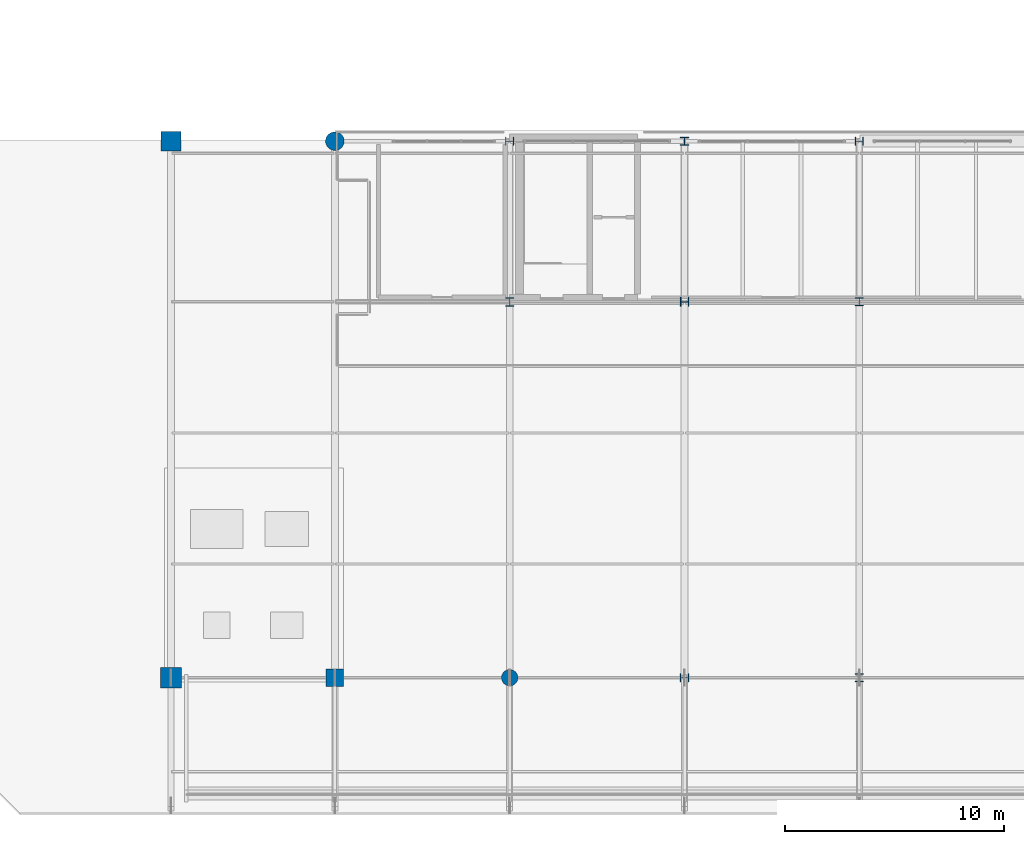
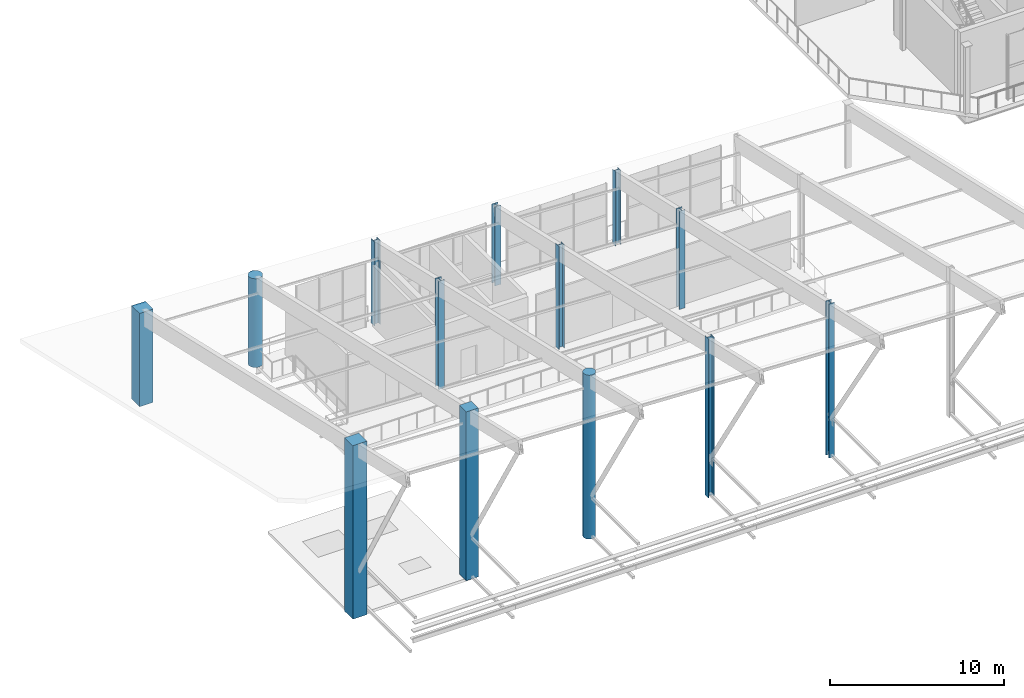
# One storey, part 1 of 51: 13 columns.
"""IFC4 building model written with IfcOpenShell, lengths in metres."""

import ifcopenshell
import ifcopenshell.guid

model = None  # the IFC model being written
_history = None  # IfcOwnerHistory: only IFC2X3 demands one
_inside = {}  # id of a spatial element -> (the spatial element, [elements in it])
_under = {}  # id of a project, library or spatial element -> (it, [spatial elements below it])
_declared = {}  # id of a project -> (the project, [libraries it declares])
_typed = {}  # id of a type object -> (the type object, [elements of that type])
_made_of = {}  # id of a material, layer set ... -> (it, [elements and type objects made of it])


def new_model(schema):
    """Start an empty IFC model of exactly this schema.

    Asked for "IFC4X3", IfcOpenShell would pick the latest addendum, in which some entities
    have other attributes; the version numbers below select the first issue.
    IFC2X3 requires an IfcOwnerHistory on every rooted entity: one is made here for all.
    """
    global model, _history
    if schema == "IFC4X3":
        model = ifcopenshell.file(schema_version=(4, 3, 0, 0))
    else:
        model = ifcopenshell.file(schema=schema)
    _inside.clear()
    _under.clear()
    _declared.clear()
    _typed.clear()
    _made_of.clear()
    _history = None
    if model.schema == "IFC2X3":
        org = make("IfcOrganization", Name="unknown")
        user = make(
            "IfcPersonAndOrganization",
            ThePerson=make("IfcPerson", FamilyName="unknown"),
            TheOrganization=org,
        )
        app = make(
            "IfcApplication",
            ApplicationDeveloper=org,
            Version="unknown",
            ApplicationFullName="unknown",
            ApplicationIdentifier="unknown",
        )
        _history = make(
            "IfcOwnerHistory",
            OwningUser=user,
            OwningApplication=app,
            ChangeAction="ADDED",
            CreationDate=0,
        )
    return model


def make(cls, **values):
    """One entity of the class cls with the attributes given. An attribute that is None is left unset."""
    return model.create_entity(
        cls, **{name: value for name, value in values.items() if value is not None}
    )


def rooted(cls, **values):
    """An entity with a GlobalId (a new one), such as an element, a storey or a relation."""
    return make(cls, GlobalId=ifcopenshell.guid.new(), OwnerHistory=_history, **values)


def si_unit(unit_type, name, prefix=None):
    """IfcSIUnit, for example si_unit("LENGTHUNIT", "METRE", prefix="MILLI")."""
    return make("IfcSIUnit", UnitType=unit_type, Prefix=prefix, Name=name)


def assignment(units):
    """IfcUnitAssignment: the units of a project."""
    return None if units is None else make("IfcUnitAssignment", Units=units)


def point(xyz):
    """IfcCartesianPoint."""
    return None if xyz is None else make("IfcCartesianPoint", Coordinates=xyz)


def direction(xyz):
    """IfcDirection."""
    return None if xyz is None else make("IfcDirection", DirectionRatios=xyz)


def frame(location, z_axis=None, x_axis=None):
    """IfcAxis2Placement3D, a coordinate frame: its origin and axes. An axis left out is left unset."""
    return make(
        "IfcAxis2Placement3D",
        Location=point(location),
        Axis=direction(z_axis),
        RefDirection=direction(x_axis),
    )


def frame_2d(location, x_axis=None):
    """IfcAxis2Placement2D, a coordinate frame in the plane: its origin and x axis."""
    return make(
        "IfcAxis2Placement2D", Location=point(location), RefDirection=direction(x_axis)
    )


def origin():
    """The frame at (0, 0, 0) with its axes left unset."""
    return frame((0.0, 0.0, 0.0))


def origin_2d():
    """The frame at (0, 0) in the plane with its x axis left unset."""
    return frame_2d((0.0, 0.0))


def place(relative_to, where):
    """IfcLocalPlacement: puts the frame where relative to a parent placement (None: the world)."""
    return make(
        "IfcLocalPlacement", PlacementRelTo=relative_to, RelativePlacement=where
    )


def context(
    kind, dimensions, precision=None, world=None, true_north=None, identifier=None
):
    """IfcGeometricRepresentationContext, for example the 3D "Model" context."""
    return make(
        "IfcGeometricRepresentationContext",
        ContextIdentifier=identifier,
        ContextType=kind,
        CoordinateSpaceDimension=dimensions,
        Precision=precision,
        WorldCoordinateSystem=world,
        TrueNorth=true_north,
    )


def subcontext(parent, identifier, kind, view, scale=None):
    """IfcGeometricRepresentationSubContext, for example "Body" below "Model"."""
    return make(
        "IfcGeometricRepresentationSubContext",
        ContextIdentifier=identifier,
        ContextType=kind,
        ParentContext=parent,
        TargetScale=scale,
        TargetView=view,
    )


def project(units=None, contexts=None):
    """IfcProject with its units and contexts."""
    return rooted(
        "IfcProject",
        Name="project",
        RepresentationContexts=contexts,
        UnitsInContext=assignment(units),
    )


def spatial(cls, under=None, at=None, **own):
    """A site, building, storey or space (cls), placed at a placement, below another one or the project."""
    s = rooted(cls, ObjectPlacement=at, **own)
    if under is not None:
        _under.setdefault(under.id(), (under, []))[1].append(s)
    return s


def profile(cls, at=None, kind="AREA", **sizes):
    """A parametric profile (cls). Its sizes go by their IFC names, for example OverallWidth=200.0."""
    return make(cls, ProfileType=kind, Position=at, **sizes)


def rectangle(**sizes):
    """IfcRectangleProfileDef."""
    return profile("IfcRectangleProfileDef", **sizes)


def circle(**sizes):
    """IfcCircleProfileDef."""
    return profile("IfcCircleProfileDef", **sizes)


def i_section(**sizes):
    """IfcIShapeProfileDef."""
    return profile("IfcIShapeProfileDef", **sizes)


def extrude(swept, where, along, depth):
    """IfcExtrudedAreaSolid: the profile swept, set in the frame where, extruded along a direction by depth."""
    return make(
        "IfcExtrudedAreaSolid",
        SweptArea=swept,
        Position=where,
        ExtrudedDirection=direction(along),
        Depth=depth,
    )


def shape(context_of_items, identifier, shape_type, items):
    """IfcShapeRepresentation: the items that make up one representation, for example the "Body"."""
    return make(
        "IfcShapeRepresentation",
        ContextOfItems=context_of_items,
        RepresentationIdentifier=identifier,
        RepresentationType=shape_type,
        Items=items,
    )


def material(Name=None, Category=None):
    """IfcMaterial."""
    return make("IfcMaterial", Name=Name, Category=Category)


def material_profile(
    of_material, cross_section, Name=None, Category=None, Priority=None
):
    """IfcMaterialProfile: a cross section and its material."""
    return make(
        "IfcMaterialProfile",
        Name=Name,
        Material=of_material,
        Profile=cross_section,
        Priority=Priority,
        Category=Category,
    )


def profile_set(profiles, Name=None, composite=None):
    """IfcMaterialProfileSet."""
    return make(
        "IfcMaterialProfileSet",
        Name=Name,
        MaterialProfiles=profiles,
        CompositeProfile=composite,
    )


def made_of(thing, what):
    """Note that an element or type object is made of a material, layer set ...; save() writes the relation."""
    if what is not None:
        _made_of.setdefault(what.id(), (what, []))[1].append(thing)
    return thing


def type_object(cls, material=None, **own):
    """A type object (cls), such as IfcWallType, which elements share."""
    return made_of(rooted(cls, **own), material)


def element(
    cls,
    number,
    at=None,
    inside=None,
    cuts=None,
    type_object=None,
    material=None,
    context=None,
    identifier="Body",
    shape_type=None,
    held_by="IfcProductDefinitionShape",
    body=None,
    shapes=None,
    **own,
):
    """One element of the class cls, such as IfcWall. Its Tag is "e" and its number.

    at: its placement. inside: the storey or other place that contains it. cuts: it is an
    opening in that element (IfcRelVoidsElement). A single representation is given by context,
    identifier, shape_type and body (its items); several are given by shapes. held_by: the class
    of the entity that holds the representations. save() writes the other relations.
    """
    e = rooted(cls, Tag="e%d" % number, ObjectPlacement=at, **own)
    if body is not None:
        shapes = [shape(context, identifier, shape_type, body)]
    if shapes is not None:
        e.Representation = make(held_by, Representations=shapes)
    if inside is not None:
        _inside.setdefault(inside.id(), (inside, []))[1].append(e)
    if cuts is not None:
        rooted(
            "IfcRelVoidsElement", RelatingBuildingElement=cuts, RelatedOpeningElement=e
        )
    if type_object is not None:
        _typed.setdefault(type_object.id(), (type_object, []))[1].append(e)
    return made_of(e, material)


def aggregate(whole, parts):
    """IfcRelAggregates: a whole, such as a stair, and the parts it consists of."""
    return rooted("IfcRelAggregates", RelatingObject=whole, RelatedObjects=parts)


def save(model, path):
    """Write the relations noted so far, then the file.

    IfcRelAggregates (storeys below a building ...), IfcRelContainedInSpatialStructure (elements
    in a storey), IfcRelDefinesByType, IfcRelAssociatesMaterial and IfcRelDeclares: one each for
    every whole, place, type object, material and project.
    """
    for whole, parts in _under.values():
        aggregate(whole, parts)
    for where, things in _inside.values():
        rooted(
            "IfcRelContainedInSpatialStructure",
            RelatedElements=things,
            RelatingStructure=where,
        )
    for kind, things in _typed.values():
        rooted("IfcRelDefinesByType", RelatedObjects=things, RelatingType=kind)
    for what, things in _made_of.values():
        rooted("IfcRelAssociatesMaterial", RelatedObjects=things, RelatingMaterial=what)
    for by, libraries in _declared.values():
        rooted("IfcRelDeclares", RelatingContext=by, RelatedDefinitions=libraries)
    model.write(path)


model = new_model("IFC4")

# Units and contexts
model_context = context("Model", 3, precision=1e-05, world=origin(), true_north=direction((0.0, 1.0)))
body_context = subcontext(model_context, "Body", "Model", "MODEL_VIEW")
ifc_project = project(units=[si_unit("LENGTHUNIT", "METRE"), si_unit("AREAUNIT", "SQUARE_METRE"), si_unit("VOLUMEUNIT", "CUBIC_METRE"), si_unit("PLANEANGLEUNIT", "RADIAN"), si_unit("MASSUNIT", "GRAM", prefix="KILO")], contexts=[model_context])

# Site, building, storey
site_placement = place(None, origin())
site = spatial("IfcSite", under=ifc_project, at=site_placement, CompositionType="ELEMENT")
building_placement = place(site_placement, origin())
building = spatial("IfcBuilding", under=site, at=building_placement, Name="Brisemont Oceanarium", CompositionType="ELEMENT")
storey_placement = place(building_placement, frame((0.0, 0.0, 15.0)))
storey = spatial("IfcBuildingStorey", under=building, at=storey_placement, Name="L03", CompositionType="ELEMENT", Elevation=15.0)

# Columns
ifc_material_1 = material(Name="Concrete C40/50", Category="concrete")
ifc_material_profile_1 = material_profile(ifc_material_1, rectangle(XDim=0.800048828125, YDim=0.800048828125, at=origin_2d()), Name="RC-COL-800X800")
ifc_profile_set_1 = profile_set([ifc_material_profile_1], Name="Concrete C40/50")
column_type_1 = type_object("IfcColumnType", Name="COL-RC800", PredefinedType="COLUMN", material=ifc_profile_set_1)
column_1_placement = place(storey_placement, frame((16.0, 6.800048828125, 0.0), z_axis=(0.0, 0.0, 1.0), x_axis=(0.0, 1.0, 0.0)))
element("IfcColumn", 1, at=column_1_placement, inside=storey, type_object=column_type_1, Name="V2 L03 column (1,0)", PredefinedType="COLUMN", context=body_context, shape_type="SweptSolid", body=[
    extrude(rectangle(XDim=0.800048828125, YDim=0.800048828125, at=origin_2d()), origin(), (0.0, 0.0, 1.0), 11.854248046875),
])
ifc_material_2 = material(Name="Concrete C40/50", Category="concrete")
ifc_material_profile_2 = material_profile(ifc_material_2, rectangle(XDim=0.89990234375, YDim=0.89990234375, at=origin_2d()), Name="RC-COL-900X900")
ifc_profile_set_2 = profile_set([ifc_material_profile_2], Name="Concrete C40/50")
column_type_2 = type_object("IfcColumnType", Name="COL-RC900", PredefinedType="COLUMN", material=ifc_profile_set_2)
column_2_placement = place(storey_placement, frame((8.5, 31.35009765625, 0.0), z_axis=(0.0, 0.0, 1.0), x_axis=(0.0, 1.0, 0.0)))
element("IfcColumn", 2, at=column_2_placement, inside=storey, type_object=column_type_2, Name="V2 L03 column (0,3)", PredefinedType="COLUMN", context=body_context, shape_type="SweptSolid", body=[
    extrude(rectangle(XDim=0.89990234375, YDim=0.89990234375, at=origin_2d()), origin(), (0.0, 0.0, 1.0), 6.555419921875),
])
ifc_material_3 = material(Name="Concrete C40/50", Category="concrete")
ifc_material_profile_3 = material_profile(ifc_material_3, rectangle(XDim=0.949951171875, YDim=0.949951171875, at=origin_2d()), Name="RC-COL-950X950")
ifc_profile_set_3 = profile_set([ifc_material_profile_3], Name="Concrete C40/50")
column_type_3 = type_object("IfcColumnType", Name="COL-RC950", PredefinedType="COLUMN", material=ifc_profile_set_3)
column_3_placement = place(storey_placement, frame((8.5, 6.800048828125, 0.0), z_axis=(0.0, 0.0, 1.0), x_axis=(1.0, 0.0, 0.0)))
element("IfcColumn", 3, at=column_3_placement, inside=storey, type_object=column_type_3, Name="V2 L03 column (0,0)", PredefinedType="COLUMN", context=body_context, shape_type="SweptSolid", body=[
    extrude(rectangle(XDim=0.949951171875, YDim=0.949951171875, at=origin_2d()), origin(), (0.0, 0.0, 1.0), 12.1748046875),
])
ifc_material_4 = material(Name="Concrete C40/50", Category="concrete")
ifc_material_profile_4 = material_profile(ifc_material_4, circle(Radius=0.375, at=origin_2d()), Name="RC-COL-D750")
ifc_profile_set_4 = profile_set([ifc_material_profile_4], Name="Concrete C40/50")
column_type_4 = type_object("IfcColumnType", Name="COL-RCD750", PredefinedType="COLUMN", material=ifc_profile_set_4)
column_4_placement = place(storey_placement, frame((24.0, 6.800048828125, 0.0), z_axis=(0.0, 0.0, 1.0), x_axis=(1.0, 0.0, 0.0)))
element("IfcColumn", 4, at=column_4_placement, inside=storey, type_object=column_type_4, Name="V2 L03 column (2,0)", PredefinedType="COLUMN", context=body_context, shape_type="SweptSolid", body=[
    extrude(circle(Radius=0.375, at=origin_2d()), origin(), (0.0, 0.0, 1.0), 11.512451171875),
])
ifc_material_5 = material(Name="Concrete C40/50", Category="concrete")
ifc_material_profile_5 = material_profile(ifc_material_5, circle(Radius=0.425048828125, at=origin_2d()), Name="RC-COL-D850")
ifc_profile_set_5 = profile_set([ifc_material_profile_5], Name="Concrete C40/50")
column_type_5 = type_object("IfcColumnType", Name="COL-RCD850", PredefinedType="COLUMN", material=ifc_profile_set_5)
column_5_placement = place(storey_placement, frame((16.0, 31.35009765625, 0.0), z_axis=(0.0, 0.0, 1.0), x_axis=(1.0, 0.0, 0.0)))
element("IfcColumn", 5, at=column_5_placement, inside=storey, type_object=column_type_5, Name="V2 L03 column (1,3)", PredefinedType="COLUMN", context=body_context, shape_type="SweptSolid", body=[
    extrude(circle(Radius=0.425048828125, at=origin_2d()), origin(), (0.0, 0.0, 1.0), 6.23486328125),
])
ifc_material_6 = material(Name="Structural Steel ASTM A992 Gr.50", Category="steel")
ifc_material_profile_6 = material_profile(ifc_material_6, i_section(OverallWidth=0.37109375, OverallDepth=0.364013671875, WebThickness=0.01318359375, FlangeThickness=0.021728515625, FilletRadius=0.014892578125, at=origin_2d()), Name="W14X109")
ifc_profile_set_6 = profile_set([ifc_material_profile_6], Name="Structural Steel ASTM A992 Gr.50")
column_type_6 = type_object("IfcColumnType", Name="COL-W14X109", PredefinedType="COLUMN", material=ifc_profile_set_6)
column_6_placement = place(storey_placement, frame((40.0, 24.0, 0.0), z_axis=(0.0, 0.0, 1.0), x_axis=(1.0, 0.0, 0.0)))
element("IfcColumn", 6, at=column_6_placement, inside=storey, type_object=column_type_6, Name="V2 L03 column (4,2)", PredefinedType="COLUMN", context=body_context, shape_type="SweptSolid", body=[
    extrude(i_section(OverallWidth=0.37109375, OverallDepth=0.364013671875, WebThickness=0.01318359375, FlangeThickness=0.021728515625, FilletRadius=0.014892578125, at=origin_2d()), origin(), (0.0, 0.0, 1.0), 6.891845703125),
])
ifc_material_7 = material(Name="Structural Steel ASTM A992 Gr.50", Category="steel")
ifc_material_profile_7 = material_profile(ifc_material_7, i_section(OverallWidth=0.3740234375, OverallDepth=0.3720703125, WebThickness=0.016357421875, FlangeThickness=0.026123046875, FilletRadius=0.014892578125, at=origin_2d()), Name="W14X132")
ifc_profile_set_7 = profile_set([ifc_material_profile_7], Name="Structural Steel ASTM A992 Gr.50")
column_type_7 = type_object("IfcColumnType", Name="COL-W14X132", PredefinedType="COLUMN", material=ifc_profile_set_7)
column_7_placement = place(storey_placement, frame((40.0, 6.800048828125, 0.0), z_axis=(0.0, 0.0, 1.0), x_axis=(1.0, 0.0, 0.0)))
element("IfcColumn", 7, at=column_7_placement, inside=storey, type_object=column_type_7, Name="V2 L03 column (4,0)", PredefinedType="COLUMN", context=body_context, shape_type="SweptSolid", body=[
    extrude(i_section(OverallWidth=0.3740234375, OverallDepth=0.3720703125, WebThickness=0.016357421875, FlangeThickness=0.026123046875, FilletRadius=0.014892578125, at=origin_2d()), origin(), (0.0, 0.0, 1.0), 10.828857421875),
])
ifc_material_8 = material(Name="Structural Steel ASTM A992 Gr.50", Category="steel")
ifc_material_profile_8 = material_profile(ifc_material_8, i_section(OverallWidth=0.39404296875, OverallDepth=0.3759765625, WebThickness=0.017333984375, FlangeThickness=0.027587890625, FilletRadius=0.014892578125, at=origin_2d()), Name="W14X145")
ifc_profile_set_8 = profile_set([ifc_material_profile_8], Name="Structural Steel ASTM A992 Gr.50")
column_type_8 = type_object("IfcColumnType", Name="COL-W14X145", PredefinedType="COLUMN", material=ifc_profile_set_8)
column_8_placement = place(storey_placement, frame((32.0, 31.35009765625, 0.0), z_axis=(0.0, 0.0, 1.0), x_axis=(1.0, 0.0, 0.0)))
element("IfcColumn", 8, at=column_8_placement, inside=storey, type_object=column_type_8, Name="V2 L03 column (3,3)", PredefinedType="COLUMN", context=body_context, shape_type="SweptSolid", body=[
    extrude(i_section(OverallWidth=0.39404296875, OverallDepth=0.3759765625, WebThickness=0.017333984375, FlangeThickness=0.027587890625, FilletRadius=0.014892578125, at=origin_2d()), origin(), (0.0, 0.0, 1.0), 5.55126953125),
])
ifc_material_9 = material(Name="Structural Steel ASTM A992 Gr.50", Category="steel")
ifc_material_profile_9 = material_profile(ifc_material_9, i_section(OverallWidth=0.39501953125, OverallDepth=0.3798828125, WebThickness=0.018798828125, FlangeThickness=0.0302734375, FilletRadius=0.014892578125, at=origin_2d()), Name="W14X159")
ifc_profile_set_9 = profile_set([ifc_material_profile_9], Name="Structural Steel ASTM A992 Gr.50")
column_type_9 = type_object("IfcColumnType", Name="COL-W14X159", PredefinedType="COLUMN", material=ifc_profile_set_9)
column_9_placement = place(storey_placement, frame((32.0, 24.0, 0.0), z_axis=(0.0, 0.0, 1.0), x_axis=(0.0, 1.0, 0.0)))
element("IfcColumn", 9, at=column_9_placement, inside=storey, type_object=column_type_9, Name="V2 L03 column (3,2)", PredefinedType="COLUMN", context=body_context, shape_type="SweptSolid", body=[
    extrude(i_section(OverallWidth=0.39501953125, OverallDepth=0.3798828125, WebThickness=0.018798828125, FlangeThickness=0.0302734375, FilletRadius=0.014892578125, at=origin_2d()), origin(), (0.0, 0.0, 1.0), 7.233642578125),
])
ifc_material_10 = material(Name="Structural Steel ASTM A992 Gr.50", Category="steel")
ifc_material_profile_10 = material_profile(ifc_material_10, i_section(OverallWidth=0.39990234375, OverallDepth=0.39306640625, WebThickness=0.022705078125, FlangeThickness=0.03662109375, FilletRadius=0.014892578125, at=origin_2d()), Name="W14X193")
ifc_profile_set_10 = profile_set([ifc_material_profile_10], Name="Structural Steel ASTM A992 Gr.50")
column_type_10 = type_object("IfcColumnType", Name="COL-W14X193", PredefinedType="COLUMN", material=ifc_profile_set_10)
column_10_placement = place(storey_placement, frame((32.0, 6.800048828125, 0.0), z_axis=(0.0, 0.0, 1.0), x_axis=(0.0, 1.0, 0.0)))
element("IfcColumn", 10, at=column_10_placement, inside=storey, type_object=column_type_10, Name="V2 L03 column (3,0)", PredefinedType="COLUMN", context=body_context, shape_type="SweptSolid", body=[
    extrude(i_section(OverallWidth=0.39990234375, OverallDepth=0.39306640625, WebThickness=0.022705078125, FlangeThickness=0.03662109375, FilletRadius=0.014892578125, at=origin_2d()), origin(), (0.0, 0.0, 1.0), 11.170654296875),
])
ifc_material_11 = material(Name="Structural Steel ASTM A992 Gr.50", Category="steel")
ifc_material_profile_11 = material_profile(ifc_material_11, i_section(OverallWidth=0.40087890625, OverallDepth=0.39892578125, WebThickness=0.02490234375, FlangeThickness=0.03955078125, FilletRadius=0.014892578125, at=origin_2d()), Name="W14X211")
ifc_profile_set_11 = profile_set([ifc_material_profile_11], Name="Structural Steel ASTM A992 Gr.50")
column_type_11 = type_object("IfcColumnType", Name="COL-W14X211", PredefinedType="COLUMN", material=ifc_profile_set_11)
column_11_placement = place(storey_placement, frame((24.0, 31.35009765625, 0.0), z_axis=(0.0, 0.0, 1.0), x_axis=(0.0, 1.0, 0.0)))
element("IfcColumn", 11, at=column_11_placement, inside=storey, type_object=column_type_11, Name="V2 L03 column (2,3)", PredefinedType="COLUMN", context=body_context, shape_type="SweptSolid", body=[
    extrude(i_section(OverallWidth=0.40087890625, OverallDepth=0.39892578125, WebThickness=0.02490234375, FlangeThickness=0.03955078125, FilletRadius=0.014892578125, at=origin_2d()), origin(), (0.0, 0.0, 1.0), 5.89306640625),
])
ifc_material_12 = material(Name="Structural Steel ASTM A992 Gr.50", Category="steel")
ifc_material_profile_12 = material_profile(ifc_material_12, i_section(OverallWidth=0.404052734375, OverallDepth=0.406982421875, WebThickness=0.027099609375, FlangeThickness=0.043701171875, FilletRadius=0.014892578125, at=origin_2d()), Name="W14X233")
ifc_profile_set_12 = profile_set([ifc_material_profile_12], Name="Structural Steel ASTM A992 Gr.50")
column_type_12 = type_object("IfcColumnType", Name="COL-W14X233", PredefinedType="COLUMN", material=ifc_profile_set_12)
column_12_placement = place(storey_placement, frame((24.0, 24.0, 0.0), z_axis=(0.0, 0.0, 1.0), x_axis=(1.0, 0.0, 0.0)))
element("IfcColumn", 12, at=column_12_placement, inside=storey, type_object=column_type_12, Name="V2 L03 column (2,2)", PredefinedType="COLUMN", context=body_context, shape_type="SweptSolid", body=[
    extrude(i_section(OverallWidth=0.404052734375, OverallDepth=0.406982421875, WebThickness=0.027099609375, FlangeThickness=0.043701171875, FilletRadius=0.014892578125, at=origin_2d()), origin(), (0.0, 0.0, 1.0), 7.575439453125),
])
ifc_material_13 = material(Name="Structural Steel ASTM A992 Gr.50", Category="steel")
ifc_material_profile_13 = material_profile(ifc_material_13, i_section(OverallWidth=0.37109375, OverallDepth=0.361083984375, WebThickness=0.01220703125, FlangeThickness=0.019775390625, FilletRadius=0.014892578125, at=origin_2d()), Name="W14X99")
ifc_profile_set_13 = profile_set([ifc_material_profile_13], Name="Structural Steel ASTM A992 Gr.50")
column_type_13 = type_object("IfcColumnType", Name="COL-W14X99", PredefinedType="COLUMN", material=ifc_profile_set_13)
column_13_placement = place(storey_placement, frame((40.0, 31.35009765625, 0.0), z_axis=(0.0, 0.0, 1.0), x_axis=(0.0, 1.0, 0.0)))
element("IfcColumn", 13, at=column_13_placement, inside=storey, type_object=column_type_13, Name="V2 L03 column (4,3)", PredefinedType="COLUMN", context=body_context, shape_type="SweptSolid", body=[
    extrude(i_section(OverallWidth=0.37109375, OverallDepth=0.361083984375, WebThickness=0.01220703125, FlangeThickness=0.019775390625, FilletRadius=0.014892578125, at=origin_2d()), origin(), (0.0, 0.0, 1.0), 5.20947265625),
])

save(model, "model.ifc")
